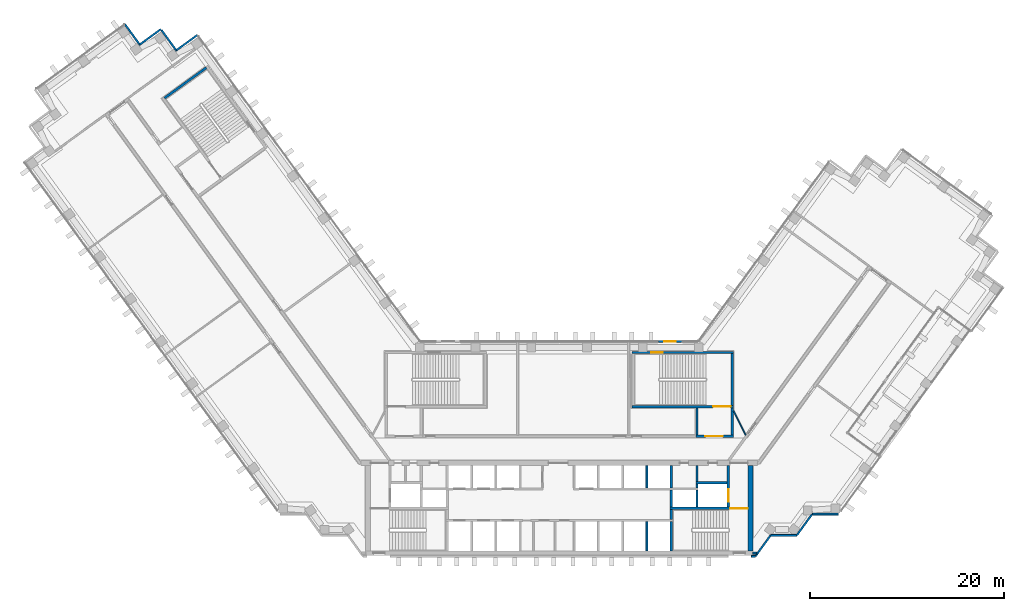
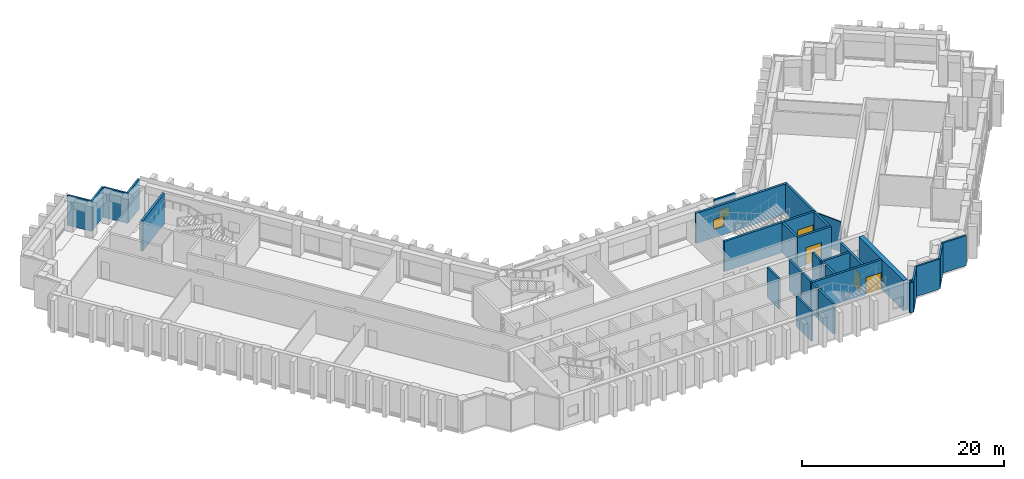
# One storey, part 10 of 15: 32 walls, 4 doors, 2 windows, 6 openings.
"""IFC4 building model written with IfcOpenShell, lengths in metres."""

from ifc_helpers import new_model, si_unit, direction, frame, frame_2d, origin, place, context, subcontext, project, spatial, rectangle, extrude, material, layer, layer_set, type_object, element, fill, save


model = new_model("IFC4")

# Units and contexts
model_context = context("Model", 3, precision=1e-05, world=origin(), true_north=direction((0.0, 1.0)))
body_context = subcontext(model_context, "Body", "Model", "MODEL_VIEW")
ifc_project = project(units=[si_unit("LENGTHUNIT", "METRE"), si_unit("AREAUNIT", "SQUARE_METRE"), si_unit("VOLUMEUNIT", "CUBIC_METRE"), si_unit("PLANEANGLEUNIT", "RADIAN"), si_unit("MASSUNIT", "GRAM", prefix="KILO")], contexts=[model_context])

# Site, building, storey
site_placement = place(None, origin())
site = spatial("IfcSite", under=ifc_project, at=site_placement, CompositionType="ELEMENT")
building_placement = place(site_placement, origin())
building = spatial("IfcBuilding", under=site, at=building_placement, Name="Quipu Civic Tower", CompositionType="ELEMENT")
storey_placement = place(building_placement, frame((0.0, 0.0, 97.0)))
storey = spatial("IfcBuildingStorey", under=building, at=storey_placement, Name="L22", CompositionType="ELEMENT", Elevation=97.0)

# Walls
ifc_material_1 = material(Name="Concrete C70/85", Category="concrete")
ifc_layer_1 = layer(ifc_material_1, 0.25)
ifc_layer_set_1 = layer_set([ifc_layer_1], Name="Concrete C70/85")
wall_type_1 = type_object("IfcWallType", Name="Core wall 250", PredefinedType="SHEAR", material=ifc_layer_set_1)
wall_1_placement = place(storey_placement, frame((11.574951171875, -10.5, 0.0), z_axis=(0.0, 0.0, 1.0), x_axis=(0.0, 1.0, 0.0)))
element("IfcWall", 1, at=wall_1_placement, inside=storey, type_object=wall_type_1, Name="Core wall", PredefinedType="SHEAR", context=body_context, shape_type="SweptSolid", body=[
    extrude(rectangle(XDim=3.0, YDim=0.25, at=frame_2d((1.5, 0.0))), origin(), (0.0, 0.0, 1.0), 3.64990234375),
])
wall_2_placement = place(storey_placement, frame((11.574951171875, -7.25, 0.0), z_axis=(0.0, 0.0, 1.0), x_axis=(0.0, 1.0, 0.0)))
element("IfcWall", 2, at=wall_2_placement, inside=storey, type_object=wall_type_1, Name="Core wall", PredefinedType="SHEAR", context=body_context, shape_type="SweptSolid", body=[
    extrude(rectangle(XDim=1.0, YDim=0.25, at=frame_2d((0.5, 0.0))), origin(), (0.0, 0.0, 1.0), 3.64990234375),
])

# Wall, opening, door
wall_3_placement = place(storey_placement, frame((19.5, -6.125, 0.0), z_axis=(0.0, 0.0, 1.0), x_axis=(-1.0, 0.0, 0.0)))
wall_3 = element("IfcWall", 3, at=wall_3_placement, inside=storey, type_object=wall_type_1, Name="Core wall", PredefinedType="SHEAR", context=body_context, shape_type="SweptSolid", body=[
    extrude(rectangle(XDim=8.050048828125, YDim=0.25, at=frame_2d((4.02490234375, 0.0))), origin(), (0.0, 0.0, 1.0), 3.64990234375),
])
opening_1_placement = place(wall_3_placement, frame((0.050048828125, 0.0, 0.0)))
opening_1 = element("IfcOpeningElement", 4, at=opening_1_placement, cuts=wall_3, Name="Opening CD-05", PredefinedType="OPENING", context=body_context, shape_type="SweptSolid", body=[
    extrude(rectangle(XDim=1.800048828125, YDim=2.10009765625, at=frame_2d((0.89990234375, 1.050048828125))), frame((0.0, 0.135009765625, 0.0), z_axis=(0.0, -1.0, 0.0), x_axis=(1.0, 0.0, 0.0)), (0.0, 0.0, 1.0), 0.27001953125),
])
ifc_material_2 = material(Name="Fire rated steel door", Category="steel")
door_type_1 = type_object("IfcDoorType", Name="Fire door FD90 double 1800 x 2100", OperationType="NOTDEFINED", PredefinedType="DOOR", material=ifc_material_2)
door_1_placement = place(opening_1_placement, origin())
door_1 = element("IfcDoor", 5, at=door_1_placement, inside=storey, type_object=door_type_1, Name="Door", OperationType="DOUBLE_DOOR_SINGLE_SWING", OverallHeight=2.10009765625, OverallWidth=1.800048828125, PredefinedType="DOOR", context=body_context, shape_type="SweptSolid", body=[
    extrude(rectangle(XDim=1.800048828125, YDim=2.10009765625, at=frame_2d((0.89990234375, 1.050048828125))), frame((0.0, 0.02490234375, 0.0), z_axis=(0.0, -1.0, 0.0), x_axis=(1.0, 0.0, 0.0)), (0.0, 0.0, 1.0), 0.050048828125),
])
fill(opening_1, door_1)

# Walls
for number, where, z_axis, x_axis, name in (
    (6, (11.574951171875, -6.0, 0.0), (0.0, 0.0, 1.0), (0.0, 1.0, 0.0), "Core wall"),
    (7, (14.22509765625, -6.0, 0.0), (0.0, 0.0, 1.0), (0.0, 1.0, 0.0), "Core wall"),
):
    element("IfcWall", number, at=place(storey_placement, frame(where, z_axis=z_axis, x_axis=x_axis)), inside=storey, type_object=wall_type_1, Name=name, PredefinedType="SHEAR", context=body_context, shape_type="SweptSolid", body=[
        extrude(rectangle(XDim=1.75, YDim=0.25, at=frame_2d((0.875, 0.0))), origin(), (0.0, 0.0, 1.0), 3.64990234375),
    ])

# Wall, opening, door
wall_4_placement = place(storey_placement, frame((17.47509765625, -6.0, 0.0), z_axis=(0.0, 0.0, 1.0), x_axis=(0.0, 1.0, 0.0)))
wall_4 = element("IfcWall", 8, at=wall_4_placement, inside=storey, type_object=wall_type_1, Name="Core wall", PredefinedType="SHEAR", context=body_context, shape_type="SweptSolid", body=[
    extrude(rectangle(XDim=4.300048828125, YDim=0.25, at=frame_2d((2.14990234375, 0.0))), origin(), (0.0, 0.0, 1.0), 3.64990234375),
])
opening_2_placement = place(wall_4_placement, frame((0.550048828125, 0.0, 0.0)))
opening_2 = element("IfcOpeningElement", 9, at=opening_2_placement, cuts=wall_4, Name="Opening LD-FF2", PredefinedType="OPENING", context=body_context, shape_type="SweptSolid", body=[
    extrude(rectangle(XDim=1.300048828125, YDim=2.10009765625, at=frame_2d((0.64990234375, 1.050048828125))), frame((0.0, 0.135009765625, 0.0), z_axis=(0.0, -1.0, 0.0), x_axis=(1.0, 0.0, 0.0)), (0.0, 0.0, 1.0), 0.27001953125),
])
ifc_material_3 = material(Name="Stainless steel", Category="steel")
door_type_2 = type_object("IfcDoorType", Name="Lift landing door 1300 x 2100", OperationType="DOUBLE_DOOR_SLIDING", PredefinedType="DOOR", material=ifc_material_3)
door_2_placement = place(opening_2_placement, origin())
door_2 = element("IfcDoor", 10, at=door_2_placement, inside=storey, type_object=door_type_2, Name="Landing door FF2", OperationType="DOUBLE_DOOR_SLIDING", OverallHeight=2.10009765625, OverallWidth=1.300048828125, PredefinedType="DOOR", context=body_context, shape_type="SweptSolid", body=[
    extrude(rectangle(XDim=1.300048828125, YDim=2.10009765625, at=frame_2d((0.64990234375, 1.050048828125))), frame((0.0, 0.02490234375, 0.0), z_axis=(0.0, -1.0, 0.0), x_axis=(1.0, 0.0, 0.0)), (0.0, 0.0, 1.0), 0.050048828125),
])
fill(opening_2, door_2)

# Walls
wall_5_placement = place(storey_placement, frame((11.574951171875, -4.0, 0.0), z_axis=(0.0, 0.0, 1.0), x_axis=(0.0, 1.0, 0.0)))
element("IfcWall", 11, at=wall_5_placement, inside=storey, type_object=wall_type_1, Name="Core wall", PredefinedType="SHEAR", context=body_context, shape_type="SweptSolid", body=[
    extrude(rectangle(XDim=2.300048828125, YDim=0.25, at=frame_2d((1.14990234375, 0.0))), origin(), (0.0, 0.0, 1.0), 3.64990234375),
])
wall_6_placement = place(storey_placement, frame((14.22509765625, -4.0, 0.0), z_axis=(0.0, 0.0, 1.0), x_axis=(0.0, 1.0, 0.0)))
element("IfcWall", 12, at=wall_6_placement, inside=storey, type_object=wall_type_1, Name="Core wall", PredefinedType="SHEAR", context=body_context, shape_type="SweptSolid", body=[
    extrude(rectangle(XDim=0.39990234375, YDim=0.25, at=frame_2d((0.199951171875, 0.0))), origin(), (0.0, 0.0, 1.0), 3.64990234375),
])
wall_7_placement = place(storey_placement, frame((14.10009765625, -3.47509765625, 0.0), z_axis=(0.0, 0.0, 1.0), x_axis=(1.0, 0.0, 0.0)))
element("IfcWall", 13, at=wall_7_placement, inside=storey, type_object=wall_type_1, Name="Core wall", PredefinedType="SHEAR", context=body_context, shape_type="SweptSolid", body=[
    extrude(rectangle(XDim=3.25, YDim=0.25, at=frame_2d((1.625, 0.0))), origin(), (0.0, 0.0, 1.0), 3.64990234375),
])
wall_8_placement = place(storey_placement, frame((14.22509765625, -3.35009765625, 0.0), z_axis=(0.0, 0.0, 1.0), x_axis=(0.0, 1.0, 0.0)))
element("IfcWall", 14, at=wall_8_placement, inside=storey, type_object=wall_type_1, Name="Core wall", PredefinedType="SHEAR", context=body_context, shape_type="SweptSolid", body=[
    extrude(rectangle(XDim=1.650146484375, YDim=0.25, at=frame_2d((0.8251953125, 0.0))), origin(), (0.0, 0.0, 1.0), 3.64990234375),
])

# Wall, opening, door
wall_9_placement = place(storey_placement, frame((14.10009765625, 1.324951171875, 0.0), z_axis=(0.0, 0.0, 1.0), x_axis=(1.0, 0.0, 0.0)))
wall_9 = element("IfcWall", 15, at=wall_9_placement, inside=storey, type_object=wall_type_1, Name="Core wall", PredefinedType="SHEAR", context=body_context, shape_type="SweptSolid", body=[
    extrude(rectangle(XDim=3.89990234375, YDim=0.25, at=frame_2d((1.949951171875, 0.0))), origin(), (0.0, 0.0, 1.0), 3.64990234375),
])
opening_3_placement = place(wall_9_placement, frame((1.0, 0.0, 0.0)))
opening_3 = element("IfcOpeningElement", 16, at=opening_3_placement, cuts=wall_9, Name="Opening CD-17", PredefinedType="OPENING", context=body_context, shape_type="SweptSolid", body=[
    extrude(rectangle(XDim=1.800048828125, YDim=2.10009765625, at=frame_2d((0.89990234375, 1.050048828125))), frame((0.0, 0.135009765625, 0.0), z_axis=(0.0, -1.0, 0.0), x_axis=(1.0, 0.0, 0.0)), (0.0, 0.0, 1.0), 0.27001953125),
])
door_3_placement = place(opening_3_placement, origin())
door_3 = element("IfcDoor", 17, at=door_3_placement, inside=storey, type_object=door_type_1, Name="Lobby door", OperationType="DOUBLE_DOOR_SINGLE_SWING", OverallHeight=2.10009765625, OverallWidth=1.800048828125, PredefinedType="DOOR", context=body_context, shape_type="SweptSolid", body=[
    extrude(rectangle(XDim=1.800048828125, YDim=2.10009765625, at=frame_2d((0.89990234375, 1.050048828125))), frame((0.0, 0.02490234375, 0.0), z_axis=(0.0, -1.0, 0.0), x_axis=(1.0, 0.0, 0.0)), (0.0, 0.0, 1.0), 0.050048828125),
])
fill(opening_3, door_3)

# Walls
for number, where, z_axis, x_axis, name in (
    (18, (14.22509765625, 1.449951171875, 0.0), (0.0, 0.0, 1.0), (0.0, 1.0, 0.0), "Core wall"),
    (19, (17.875, 1.449951171875, 0.0), (0.0, 0.0, 1.0), (0.0, 1.0, 0.0), "Core wall"),
):
    element("IfcWall", number, at=place(storey_placement, frame(where, z_axis=z_axis, x_axis=x_axis)), inside=storey, type_object=wall_type_1, Name=name, PredefinedType="SHEAR", context=body_context, shape_type="SweptSolid", body=[
        extrude(rectangle(XDim=2.800048828125, YDim=0.25, at=frame_2d((1.39990234375, 0.0))), origin(), (0.0, 0.0, 1.0), 3.64990234375),
    ])

# Wall, opening, door
wall_10_placement = place(storey_placement, frame((7.5, 4.375, 0.0), z_axis=(0.0, 0.0, 1.0), x_axis=(1.0, 0.0, 0.0)))
wall_10 = element("IfcWall", 20, at=wall_10_placement, inside=storey, type_object=wall_type_1, Name="Core wall", PredefinedType="SHEAR", context=body_context, shape_type="SweptSolid", body=[
    extrude(rectangle(XDim=10.5, YDim=0.25, at=frame_2d((5.25, 0.0))), origin(), (0.0, 0.0, 1.0), 3.64990234375),
])
opening_4_placement = place(wall_10_placement, frame((8.39990234375, 0.0, 0.0)))
opening_4 = element("IfcOpeningElement", 21, at=opening_4_placement, cuts=wall_10, Name="Opening CD-18", PredefinedType="OPENING", context=body_context, shape_type="SweptSolid", body=[
    extrude(rectangle(XDim=1.800048828125, YDim=2.10009765625, at=frame_2d((0.89990234375, 1.050048828125))), frame((0.0, 0.135009765625, 0.0), z_axis=(0.0, -1.0, 0.0), x_axis=(1.0, 0.0, 0.0)), (0.0, 0.0, 1.0), 0.27001953125),
])
door_4_placement = place(opening_4_placement, origin())
door_4 = element("IfcDoor", 22, at=door_4_placement, inside=storey, type_object=door_type_1, Name="Door", OperationType="DOUBLE_DOOR_SINGLE_SWING", OverallHeight=2.10009765625, OverallWidth=1.800048828125, PredefinedType="DOOR", context=body_context, shape_type="SweptSolid", body=[
    extrude(rectangle(XDim=1.800048828125, YDim=2.10009765625, at=frame_2d((0.89990234375, 1.050048828125))), frame((0.0, 0.02490234375, 0.0), z_axis=(0.0, -1.0, 0.0), x_axis=(1.0, 0.0, 0.0)), (0.0, 0.0, 1.0), 0.050048828125),
])
fill(opening_4, door_4)

# Wall
wall_11_placement = place(storey_placement, frame((17.875, 4.5, 0.0), z_axis=(0.0, 0.0, 1.0), x_axis=(0.0, 1.0, 0.0)))
element("IfcWall", 23, at=wall_11_placement, inside=storey, type_object=wall_type_1, Name="Core wall", PredefinedType="SHEAR", context=body_context, shape_type="SweptSolid", body=[
    extrude(rectangle(XDim=5.35009765625, YDim=0.25, at=frame_2d((2.675048828125, 0.0))), origin(), (0.0, 0.0, 1.0), 3.64990234375),
])

# Wall, opening, window
wall_12_placement = place(storey_placement, frame((7.5, 9.97509765625, 0.0), z_axis=(0.0, 0.0, 1.0), x_axis=(1.0, 0.0, 0.0)))
wall_12 = element("IfcWall", 24, at=wall_12_placement, inside=storey, type_object=wall_type_1, Name="Core wall", PredefinedType="SHEAR", context=body_context, shape_type="SweptSolid", body=[
    extrude(rectangle(XDim=10.5, YDim=0.25, at=frame_2d((5.25, 0.0))), origin(), (0.0, 0.0, 1.0), 3.64990234375),
])
opening_5_placement = place(wall_12_placement, frame((2.0, 0.0, 1.0)))
opening_5 = element("IfcOpeningElement", 25, at=opening_5_placement, cuts=wall_12, Name="Opening SV-4", PredefinedType="OPENING", context=body_context, shape_type="SweptSolid", body=[
    extrude(rectangle(XDim=1.199951171875, YDim=1.199951171875, at=frame_2d((0.60009765625, 0.60009765625))), frame((0.0, 0.135009765625, 0.0), z_axis=(0.0, -1.0, 0.0), x_axis=(1.0, 0.0, 0.0)), (0.0, 0.0, 1.0), 0.27001953125),
])
ifc_material_4 = material(Name="Aluminium louvre", Category="aluminium")
window_type_1 = type_object("IfcWindowType", Name="Stair ventilation louvre 1200 x 1200", PartitioningType="SINGLE_PANEL", PredefinedType="WINDOW", material=ifc_material_4)
window_1_placement = place(opening_5_placement, origin())
window_1 = element("IfcWindow", 26, at=window_1_placement, inside=storey, type_object=window_type_1, Name="Stair ventilation opening", OverallHeight=1.199951171875, OverallWidth=1.199951171875, PartitioningType="SINGLE_PANEL", PredefinedType="WINDOW", context=body_context, shape_type="SweptSolid", body=[
    extrude(rectangle(XDim=1.199951171875, YDim=1.199951171875, at=frame_2d((0.60009765625, 0.60009765625))), frame((0.0, 0.030029296875, 0.0), z_axis=(0.0, -1.0, 0.0), x_axis=(1.0, 0.0, 0.0)), (0.0, 0.0, 1.0), 0.06005859375),
])
fill(opening_5, window_1)

# Walls
wall_13_placement = place(storey_placement, frame((-36.43896484375, 39.384033203125, 0.0), z_axis=(0.0, 0.0, 1.0), x_axis=(-0.809020161303, -0.587780893365, 0.0)))
element("IfcWall", 27, at=wall_13_placement, inside=storey, type_object=wall_type_1, Name="Core wall", PredefinedType="SHEAR", context=body_context, shape_type="SweptSolid", body=[
    extrude(rectangle(XDim=5.349853515625, YDim=0.25, at=frame_2d((2.6748046875, 0.0))), origin(), (0.0, 0.0, 1.0), 3.64990234375),
])
ifc_material_5 = material(Name="Concrete C70/85", Category="concrete")
ifc_layer_2 = layer(ifc_material_5, 0.5)
ifc_layer_set_2 = layer_set([ifc_layer_2], Name="Concrete C70/85")
wall_type_2 = type_object("IfcWallType", Name="Core wall 500", PredefinedType="SHEAR", material=ifc_layer_set_2)
wall_14_placement = place(storey_placement, frame((19.75, -10.5, 0.0), z_axis=(0.0, 0.0, 1.0), x_axis=(0.0, 1.0, 0.0)))
element("IfcWall", 28, at=wall_14_placement, inside=storey, type_object=wall_type_2, Name="Core wall", PredefinedType="SHEAR", context=body_context, shape_type="SweptSolid", body=[
    extrude(rectangle(XDim=8.800048828125, YDim=0.5, at=frame_2d((4.39990234375, 0.0))), origin(), (0.0, 0.0, 1.0), 3.64990234375),
])
ifc_material_6 = material(Name="Gypsum plasterboard on light gauge framing")
ifc_layer_3 = layer(ifc_material_6, 0.1201171875)
ifc_layer_set_3 = layer_set([ifc_layer_3], Name="Gypsum plasterboard on light gauge framing")
wall_type_3 = type_object("IfcWallType", Name="Partition 120 plasterboard", PredefinedType="PARTITIONING", material=ifc_layer_set_3)
wall_15_placement = place(storey_placement, frame((18.0, 3.925048828125, 0.0), z_axis=(0.0, 0.0, 1.0), x_axis=(0.453950796792, -0.891026752736, 0.0)))
element("IfcWall", 29, at=wall_15_placement, inside=storey, type_object=wall_type_3, Name="Partition P13", PredefinedType="PARTITIONING", context=body_context, shape_type="SweptSolid", body=[
    extrude(rectangle(XDim=2.77783203125, YDim=0.1201171875, at=frame_2d((1.388916015625, 0.0))), origin(), (0.0, 0.0, 1.0), 3.64990234375),
])
ifc_material_7 = material(Name="Precast concrete C40/50", Category="concrete")
wall_type_4 = type_object("IfcWallType", Name="Precast cladding wall", PredefinedType="SOLIDWALL", material=ifc_material_7)
wall_16_placement = place(storey_placement, frame((24.533203125, -8.90869140625, 0.0), z_axis=(0.0, 0.0, 1.0), x_axis=(0.587720002413, 0.809064397168, 0.0)))
element("IfcWall", 30, at=wall_16_placement, inside=storey, type_object=wall_type_4, Name="Precast cladding wall L22 8", PredefinedType="SOLIDWALL", context=body_context, shape_type="SweptSolid", body=[
    extrude(rectangle(XDim=2.7001953125, YDim=0.199951171875, at=frame_2d((1.35009765625, 0.0))), origin(), (0.0, 0.0, 1.0), 3.64990234375),
])
for number, where, z_axis, x_axis, name in (
    (31, (26.1298828125, -6.71923828125, 0.0), (0.0, 0.0, 1.0), (1.0, 0.0, 0.0), "Precast cladding wall L22 9"),
    (32, (-37.352783203125, 42.768310546875, 0.0), (0.0, 0.0, 1.0), (-0.809033161865, -0.587762999008, 0.0), "Precast cladding wall L22 11"),
):
    element("IfcWall", number, at=place(storey_placement, frame(where, z_axis=z_axis, x_axis=x_axis)), inside=storey, type_object=wall_type_4, Name=name, PredefinedType="SOLIDWALL", context=body_context, shape_type="SweptSolid", body=[
        extrude(rectangle(XDim=2.699951171875, YDim=0.199951171875, at=frame_2d((1.35009765625, 0.0))), origin(), (0.0, 0.0, 1.0), 3.64990234375),
    ])
wall_17_placement = place(storey_placement, frame((-39.488037109375, 41.093505859375, 0.0), z_axis=(0.0, 0.0, 1.0), x_axis=(-0.587806000234, 0.809001919707, 0.0)))
element("IfcWall", 33, at=wall_17_placement, inside=storey, type_object=wall_type_4, Name="Precast cladding wall L22 12", PredefinedType="SOLIDWALL", context=body_context, shape_type="SweptSolid", body=[
    extrude(rectangle(XDim=2.69970703125, YDim=0.199951171875, at=frame_2d((1.349853515625, 0.0))), origin(), (0.0, 0.0, 1.0), 3.64990234375),
])
for number, where, z_axis, x_axis, name in (
    (34, (-41.1240234375, 43.36572265625, 0.0), (0.0, 0.0, 1.0), (-0.809033161865, -0.587762999008, 0.0), "Precast cladding wall L22 13"),
    (35, (-43.25927734375, 41.690673828125, 0.0), (0.0, 0.0, 1.0), (-0.587822180636, 0.808990163075, 0.0), "Precast cladding wall L22 14"),
):
    element("IfcWall", number, at=place(storey_placement, frame(where, z_axis=z_axis, x_axis=x_axis)), inside=storey, type_object=wall_type_4, Name=name, PredefinedType="SOLIDWALL", context=body_context, shape_type="SweptSolid", body=[
        extrude(rectangle(XDim=2.699951171875, YDim=0.199951171875, at=frame_2d((1.35009765625, 0.0))), origin(), (0.0, 0.0, 1.0), 3.64990234375),
    ])
wall_18_placement = place(storey_placement, frame((19.85009765625, -11.087890625, 0.0), z_axis=(0.0, 0.0, 1.0), x_axis=(1.0, 0.0, 0.0)))
element("IfcWall", 36, at=wall_18_placement, inside=storey, type_object=wall_type_4, Name="Precast cladding wall L22 27", PredefinedType="SOLIDWALL", context=body_context, shape_type="SweptSolid", body=[
    extrude(rectangle(XDim=0.40576171875, YDim=0.199951171875, at=frame_2d((0.202880859375, 0.0))), origin(), (0.0, 0.0, 1.0), 3.64990234375),
])
wall_19_placement = place(storey_placement, frame((20.253173828125, -11.083251953125, 0.0), z_axis=(0.0, 0.0, 1.0), x_axis=(0.587766567315, 0.809030569476, 0.0)))
element("IfcWall", 37, at=wall_19_placement, inside=storey, type_object=wall_type_4, Name="Precast cladding wall L22 28", PredefinedType="SOLIDWALL", context=body_context, shape_type="SweptSolid", body=[
    extrude(rectangle(XDim=2.687744140625, YDim=0.199951171875, at=frame_2d((1.34375, 0.0))), origin(), (0.0, 0.0, 1.0), 3.64990234375),
])
wall_20_placement = place(storey_placement, frame((21.8427734375, -8.90380859375, 0.0), z_axis=(0.0, 0.0, 1.0), x_axis=(1.0, 0.0, 0.0)))
element("IfcWall", 38, at=wall_20_placement, inside=storey, type_object=wall_type_4, Name="Precast cladding wall L22 29", PredefinedType="SOLIDWALL", context=body_context, shape_type="SweptSolid", body=[
    extrude(rectangle(XDim=2.699951171875, YDim=0.199951171875, at=frame_2d((1.35009765625, 0.0))), origin(), (0.0, 0.0, 1.0), 3.64990234375),
])

# Wall, opening, window
wall_21_placement = place(storey_placement, frame((12.655029296875, 11.10009765625, 0.0), z_axis=(0.0, 0.0, 1.0), x_axis=(-1.0, 0.0, 0.0)))
wall_21 = element("IfcWall", 39, at=wall_21_placement, inside=storey, type_object=wall_type_4, Name="Vent surround SF-L22-2", PredefinedType="SOLIDWALL", context=body_context, shape_type="SweptSolid", body=[
    extrude(rectangle(XDim=2.3916015625, YDim=0.199951171875, at=frame_2d((1.19580078125, 0.0))), origin(), (0.0, 0.0, 1.0), 3.64990234375),
])
opening_6_placement = place(wall_21_placement, frame((0.595703125, 0.0, 1.0)))
opening_6 = element("IfcOpeningElement", 40, at=opening_6_placement, cuts=wall_21, Name="Opening SF-L22-2", PredefinedType="OPENING", context=body_context, shape_type="SweptSolid", body=[
    extrude(rectangle(XDim=1.199951171875, YDim=1.199951171875, at=frame_2d((0.60009765625, 0.60009765625))), frame((0.0, 0.10986328125, 0.0), z_axis=(0.0, -1.0, 0.0), x_axis=(1.0, 0.0, 0.0)), (0.0, 0.0, 1.0), 0.219970703125),
])
ifc_material_8 = material(Name="Anodised aluminium louvre", Category="aluminium")
window_type_2 = type_object("IfcWindowType", Name="Stair vent louvre window P3", PartitioningType="SINGLE_PANEL", PredefinedType="WINDOW", material=ifc_material_8)
window_2_placement = place(opening_6_placement, origin())
window_2 = element("IfcWindow", 41, at=window_2_placement, inside=storey, type_object=window_type_2, Name="Stair vent louvre SF-L22-2", OverallHeight=1.199951171875, OverallWidth=1.199951171875, PartitioningType="SINGLE_PANEL", PredefinedType="WINDOW", context=body_context, shape_type="SweptSolid", body=[
    extrude(rectangle(XDim=1.199951171875, YDim=1.199951171875, at=frame_2d((0.60009765625, 0.60009765625))), frame((0.0, 0.030029296875, 0.0), z_axis=(0.0, -1.0, 0.0), x_axis=(1.0, 0.0, 0.0)), (0.0, 0.0, 1.0), 0.06005859375),
])
fill(opening_6, window_2)

# Walls
wall_22_placement = place(storey_placement, frame((19.97998046875, -10.75, 0.0), z_axis=(0.0, 0.0, 1.0), x_axis=(1.0, 0.0, 0.0)))
element("IfcWall", 42, at=wall_22_placement, inside=storey, type_object=wall_type_4, Name="Precast cladding return L22 E", PredefinedType="SOLIDWALL", context=body_context, shape_type="SweptSolid", body=[
    extrude(rectangle(XDim=0.41650390625, YDim=0.199951171875, at=frame_2d((0.208251953125, 0.0))), origin(), (0.0, 0.0, 1.0), 3.64990234375),
])
ifc_material_9 = material(Name="Concrete C40/50", Category="concrete")
ifc_layer_4 = layer(ifc_material_9, 0.199951171875)
ifc_layer_set_4 = layer_set([ifc_layer_4], Name="Concrete C40/50")
wall_type_5 = type_object("IfcWallType", Name="Shaft wall 200", PredefinedType="SOLIDWALL", material=ifc_layer_set_4)
wall_23_placement = place(storey_placement, frame((9.050048828125, -10.5, 0.0), z_axis=(0.0, 0.0, 1.0), x_axis=(0.0, 1.0, 0.0)))
element("IfcWall", 43, at=wall_23_placement, inside=storey, type_object=wall_type_5, Name="Shaft wall", PredefinedType="SOLIDWALL", context=body_context, shape_type="SweptSolid", body=[
    extrude(rectangle(XDim=3.0, YDim=0.199951171875, at=frame_2d((1.5, 0.0))), origin(), (0.0, 0.0, 1.0), 3.64990234375),
])
wall_24_placement = place(storey_placement, frame((9.050048828125, -4.0, 0.0), z_axis=(0.0, 0.0, 1.0), x_axis=(0.0, 1.0, 0.0)))
element("IfcWall", 44, at=wall_24_placement, inside=storey, type_object=wall_type_5, Name="Shaft wall", PredefinedType="SOLIDWALL", context=body_context, shape_type="SweptSolid", body=[
    extrude(rectangle(XDim=2.300048828125, YDim=0.199951171875, at=frame_2d((1.14990234375, 0.0))), origin(), (0.0, 0.0, 1.0), 3.64990234375),
])

save(model, "model.ifc")
